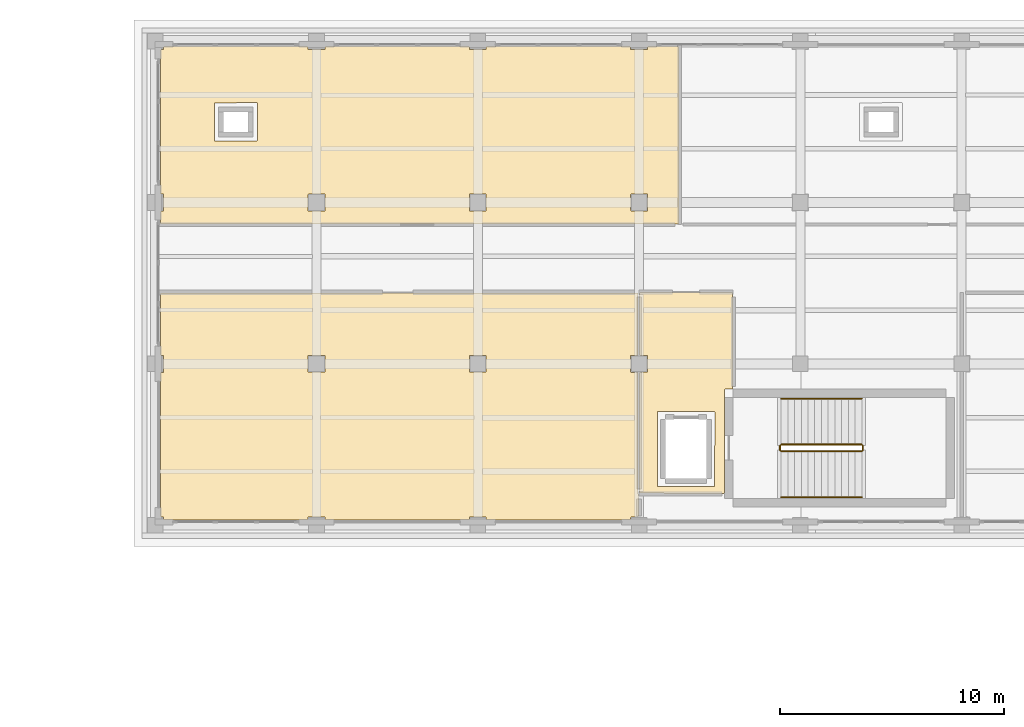
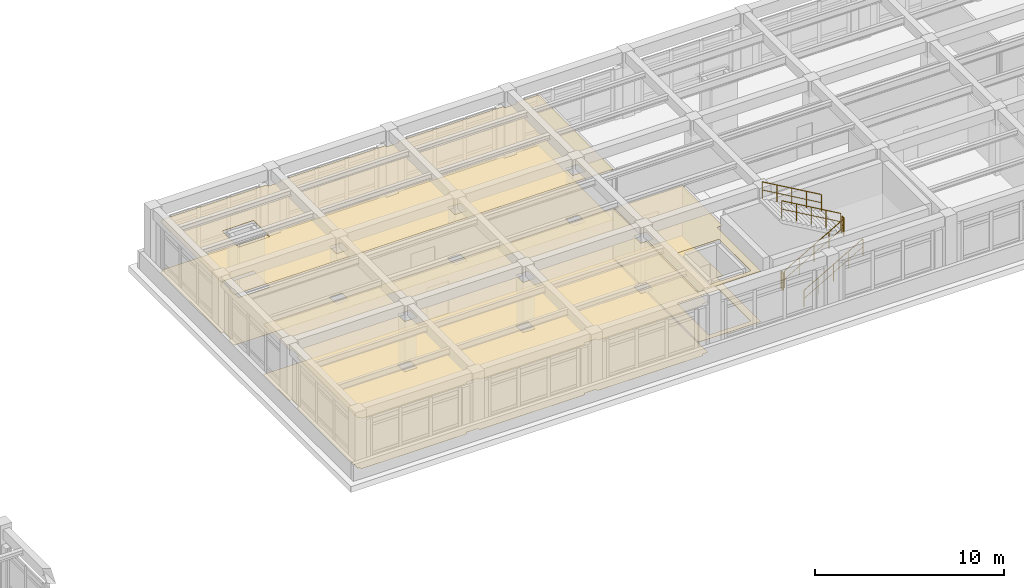
# One storey, part 61 of 64: 6 coverings, 6 railings.
"""IFC4 building model written with IfcOpenShell, lengths in metres."""

from ifc_helpers import new_model, si_unit, direction, frame, origin, origin_2d, place, context, subcontext, project, spatial, polyline, circle, outline, extrude, material, layer, layer_set, type_object, element, save


model = new_model("IFC4")

# Units and contexts
model_context = context("Model", 3, precision=1e-05, world=origin(), true_north=direction((0.0, 1.0)))
body_context = subcontext(model_context, "Body", "Model", "MODEL_VIEW")
ifc_project = project(units=[si_unit("LENGTHUNIT", "METRE"), si_unit("AREAUNIT", "SQUARE_METRE"), si_unit("VOLUMEUNIT", "CUBIC_METRE"), si_unit("PLANEANGLEUNIT", "RADIAN"), si_unit("MASSUNIT", "GRAM", prefix="KILO")], contexts=[model_context])

# Site, building, storey
site_placement = place(None, origin())
site = spatial("IfcSite", under=ifc_project, at=site_placement, CompositionType="ELEMENT")
building_placement = place(site_placement, origin())
building = spatial("IfcBuilding", under=site, at=building_placement, Name="Solenvale Faculty of Natural Sciences", CompositionType="ELEMENT")
storey_placement = place(building_placement, frame((0.0, 0.0, 18.0)))
storey = spatial("IfcBuildingStorey", under=building, at=storey_placement, Name="L04", CompositionType="ELEMENT", Elevation=18.0)

# Coverings
ifc_material_1 = material(Name="Acoustic mineral-timber ceiling", Category="wood")
ifc_layer_1 = layer(ifc_material_1, 0.02490234375)
ifc_layer_set_1 = layer_set([ifc_layer_1], Name="Acoustic mineral-timber ceiling")
covering_type_1 = type_object("IfcCoveringType", Name="COV-CEIL-AC25", PredefinedType="CEILING", material=ifc_layer_set_1)
covering_1_placement = place(storey_placement, frame((0.0, 0.0, 3.235107421875)))
element("IfcCovering", 1, at=covering_1_placement, inside=storey, type_object=covering_type_1, Name="L04 Firefighting Lobby C4 Acoustic Ceiling", PredefinedType="CEILING", context=body_context, shape_type="SweptSolid", body=[
    extrude(outline(polyline([(104.97998046875, 99.7099609375), (104.9560546875, 99.680908203125), (104.64794921875, 99.679931640625), (104.6201171875, 99.652099609375), (104.613037109375, 95.031005859375), (104.590087890625, 95.02001953125), (100.8310546875, 95.027099609375), (100.820068359375, 95.050048828125), (100.820068359375, 100.39794921875), (100.846923828125, 100.425048828125), (101.174072265625, 100.430908203125), (101.175048828125, 101.1640625), (101.1640625, 101.175048828125), (100.846923828125, 101.175048828125), (100.820068359375, 101.201904296875), (100.820068359375, 103.949951171875), (100.8291015625, 103.970947265625), (100.85009765625, 103.97998046875), (104.949951171875, 103.97998046875), (104.970947265625, 103.970947265625), (104.97998046875, 103.949951171875), (104.97998046875, 99.7099609375)]), holes=[polyline([(104.179931640625, 98.652099609375), (104.169921875, 98.672119140625), (104.14990234375, 98.679931640625), (101.64990234375, 98.679931640625), (101.6259765625, 98.66796875), (101.6201171875, 95.35009765625), (101.632080078125, 95.325927734375), (104.14990234375, 95.320068359375), (104.174072265625, 95.33203125), (104.179931640625, 98.652099609375)])]), origin(), (0.0, 0.0, 1.0), 0.02490234375),
])
covering_2_placement = place(storey_placement, frame((0.0, 0.0, 3.235107421875)))
element("IfcCovering", 2, at=covering_2_placement, inside=storey, type_object=covering_type_1, Name="L04 Earth Sciences Teaching Laboratory Acoustic Ceiling", PredefinedType="CEILING", context=body_context, shape_type="SweptSolid", body=[
    extrude(outline(polyline([(100.72998046875, 103.9599609375), (100.7509765625, 103.950927734375), (100.760009765625, 103.929931640625), (100.760009765625, 101.201904296875), (100.73291015625, 101.175048828125), (100.426025390625, 101.1689453125), (100.425048828125, 100.43603515625), (100.43603515625, 100.425048828125), (100.73291015625, 100.425048828125), (100.760009765625, 100.39794921875), (100.760009765625, 95.0), (100.780029296875, 94.950927734375), (100.780029296875, 94.0048828125), (100.760986328125, 93.97705078125), (100.430908203125, 93.97412109375), (100.424072265625, 93.861083984375), (100.39501953125, 93.840087890625), (94.0048828125, 93.840087890625), (93.97607421875, 93.861083984375), (93.97509765625, 93.966064453125), (93.964111328125, 93.97509765625), (93.23291015625, 93.97509765625), (93.22412109375, 93.861083984375), (93.195068359375, 93.840087890625), (86.804931640625, 93.840087890625), (86.77587890625, 93.861083984375), (86.77490234375, 93.966064453125), (86.763916015625, 93.97509765625), (86.032958984375, 93.97509765625), (86.02392578125, 93.861083984375), (85.9951171875, 93.840087890625), (79.60498046875, 93.840087890625), (79.575927734375, 93.864013671875), (79.572021484375, 93.971923828125), (79.464111328125, 93.97607421875), (79.44189453125, 93.993896484375), (79.43994140625, 100.39501953125), (79.4609375, 100.424072265625), (79.56591796875, 100.425048828125), (79.574951171875, 100.43603515625), (79.574951171875, 101.1669921875), (79.4609375, 101.176025390625), (79.43994140625, 101.205078125), (79.43994140625, 103.929931640625), (79.458984375, 103.9580078125), (100.72998046875, 103.9599609375)]), holes=[polyline([(93.236083984375, 101.175048828125), (93.22509765625, 101.1640625), (93.22802734375, 100.427978515625), (93.971923828125, 100.427978515625), (93.971923828125, 101.172119140625), (93.236083984375, 101.175048828125)]), polyline([(86.035888671875, 101.175048828125), (86.02490234375, 101.1640625), (86.028076171875, 100.427978515625), (86.77197265625, 100.427978515625), (86.77197265625, 101.172119140625), (86.035888671875, 101.175048828125)])]), origin(), (0.0, 0.0, 1.0), 0.02490234375),
])
covering_3_placement = place(storey_placement, frame((0.0, 0.0, 3.235107421875)))
element("IfcCovering", 3, at=covering_3_placement, inside=storey, type_object=covering_type_1, Name="L04 Environmental Genomics Laboratory Acoustic Ceiling", PredefinedType="CEILING", context=body_context, shape_type="SweptSolid", body=[
    extrude(outline(polyline([(85.9951171875, 114.9599609375), (86.02392578125, 114.93896484375), (86.02490234375, 114.833984375), (86.035888671875, 114.824951171875), (86.76708984375, 114.824951171875), (86.77587890625, 114.93896484375), (86.804931640625, 114.9599609375), (93.195068359375, 114.9599609375), (93.22412109375, 114.93896484375), (93.22509765625, 114.833984375), (93.236083984375, 114.824951171875), (93.967041015625, 114.824951171875), (93.97607421875, 114.93896484375), (94.0048828125, 114.9599609375), (100.39501953125, 114.9599609375), (100.424072265625, 114.93896484375), (100.425048828125, 114.833984375), (100.43603515625, 114.824951171875), (101.1669921875, 114.824951171875), (101.176025390625, 114.93896484375), (101.201904296875, 114.9599609375), (102.56396484375, 114.9560546875), (102.580078125, 114.929931640625), (102.575927734375, 107.055908203125), (102.550048828125, 107.0400390625), (79.450927734375, 107.047119140625), (79.43994140625, 107.070068359375), (79.44091796875, 107.60107421875), (79.464111328125, 107.6240234375), (79.56591796875, 107.625), (79.574951171875, 107.634033203125), (79.574951171875, 108.364013671875), (79.56591796875, 108.375), (79.4609375, 108.3759765625), (79.43994140625, 108.405029296875), (79.447021484375, 114.81396484375), (79.467041015625, 114.824951171875), (79.572021484375, 114.827880859375), (79.575927734375, 114.93603515625), (79.60498046875, 114.9599609375), (85.9951171875, 114.9599609375)]), holes=[polyline([(100.43603515625, 108.375), (100.425048828125, 108.364013671875), (100.427978515625, 107.6279296875), (101.172119140625, 107.6279296875), (101.172119140625, 108.3720703125), (100.43603515625, 108.375)]), polyline([(93.236083984375, 108.375), (93.22509765625, 108.364013671875), (93.22802734375, 107.6279296875), (93.971923828125, 107.6279296875), (93.971923828125, 108.3720703125), (93.236083984375, 108.375)]), polyline([(86.035888671875, 108.375), (86.02490234375, 108.364013671875), (86.028076171875, 107.6279296875), (86.77197265625, 107.6279296875), (86.77197265625, 108.3720703125), (86.035888671875, 108.375)]), polyline([(83.760009765625, 112.431884765625), (83.75, 112.451904296875), (83.72998046875, 112.4599609375), (81.85009765625, 112.451904296875), (81.840087890625, 112.429931640625), (81.847900390625, 110.75), (81.8701171875, 110.739990234375), (83.75, 110.748046875), (83.760009765625, 110.77001953125), (83.760009765625, 112.431884765625)])]), origin(), (0.0, 0.0, 1.0), 0.02490234375),
])
ifc_material_2 = material(Name="Polished slate terrazzo flooring", Category="masonry")
ifc_layer_2 = layer(ifc_material_2, 0.01806640625)
ifc_layer_set_2 = layer_set([ifc_layer_2], Name="Polished slate terrazzo flooring")
covering_type_2 = type_object("IfcCoveringType", Name="COV-FLR-TRZ18", PredefinedType="FLOORING", material=ifc_layer_set_2)
covering_4_placement = place(storey_placement, origin())
element("IfcCovering", 4, at=covering_4_placement, inside=storey, type_object=covering_type_2, Name="L04 Firefighting Lobby C4 Floor Finish", PredefinedType="FLOORING", context=body_context, shape_type="SweptSolid", body=[
    extrude(outline(polyline([(104.97998046875, 99.7099609375), (104.9560546875, 99.680908203125), (104.64794921875, 99.679931640625), (104.6201171875, 99.652099609375), (104.613037109375, 95.031005859375), (104.590087890625, 95.02001953125), (100.8310546875, 95.027099609375), (100.820068359375, 95.050048828125), (100.820068359375, 100.39794921875), (100.846923828125, 100.425048828125), (101.174072265625, 100.430908203125), (101.175048828125, 101.1640625), (101.1640625, 101.175048828125), (100.846923828125, 101.175048828125), (100.820068359375, 101.201904296875), (100.820068359375, 103.949951171875), (100.8291015625, 103.970947265625), (100.85009765625, 103.97998046875), (104.949951171875, 103.97998046875), (104.970947265625, 103.970947265625), (104.97998046875, 103.949951171875), (104.97998046875, 99.7099609375)]), holes=[polyline([(104.179931640625, 98.652099609375), (104.169921875, 98.672119140625), (104.14990234375, 98.679931640625), (101.64990234375, 98.679931640625), (101.6259765625, 98.66796875), (101.6201171875, 95.35009765625), (101.632080078125, 95.325927734375), (104.14990234375, 95.320068359375), (104.174072265625, 95.33203125), (104.179931640625, 98.652099609375)])]), origin(), (0.0, 0.0, 1.0), 0.01806640625),
])
ifc_material_3 = material(Name="Seamless laboratory vinyl flooring")
ifc_layer_3 = layer(ifc_material_3, 0.008056640625)
ifc_layer_set_3 = layer_set([ifc_layer_3], Name="Seamless laboratory vinyl flooring")
covering_type_3 = type_object("IfcCoveringType", Name="COV-FLR-VNL08", PredefinedType="FLOORING", material=ifc_layer_set_3)
covering_5_placement = place(storey_placement, origin())
element("IfcCovering", 5, at=covering_5_placement, inside=storey, type_object=covering_type_3, Name="L04 Earth Sciences Teaching Laboratory Floor Finish", PredefinedType="FLOORING", context=body_context, shape_type="SweptSolid", body=[
    extrude(outline(polyline([(100.72998046875, 103.9599609375), (100.7509765625, 103.950927734375), (100.760009765625, 103.929931640625), (100.760009765625, 101.201904296875), (100.73291015625, 101.175048828125), (100.426025390625, 101.1689453125), (100.425048828125, 100.43603515625), (100.43603515625, 100.425048828125), (100.73291015625, 100.425048828125), (100.760009765625, 100.39794921875), (100.760009765625, 95.0), (100.780029296875, 94.950927734375), (100.780029296875, 94.0048828125), (100.760986328125, 93.97705078125), (100.430908203125, 93.97412109375), (100.424072265625, 93.861083984375), (100.39501953125, 93.840087890625), (94.0048828125, 93.840087890625), (93.97607421875, 93.861083984375), (93.97509765625, 93.966064453125), (93.964111328125, 93.97509765625), (93.23291015625, 93.97509765625), (93.22412109375, 93.861083984375), (93.195068359375, 93.840087890625), (86.804931640625, 93.840087890625), (86.77587890625, 93.861083984375), (86.77490234375, 93.966064453125), (86.763916015625, 93.97509765625), (86.032958984375, 93.97509765625), (86.02392578125, 93.861083984375), (85.9951171875, 93.840087890625), (79.60498046875, 93.840087890625), (79.575927734375, 93.864013671875), (79.572021484375, 93.971923828125), (79.464111328125, 93.97607421875), (79.44189453125, 93.993896484375), (79.43994140625, 100.39501953125), (79.4609375, 100.424072265625), (79.56591796875, 100.425048828125), (79.574951171875, 100.43603515625), (79.574951171875, 101.1669921875), (79.4609375, 101.176025390625), (79.43994140625, 101.205078125), (79.43994140625, 103.929931640625), (79.458984375, 103.9580078125), (100.72998046875, 103.9599609375)]), holes=[polyline([(93.236083984375, 101.175048828125), (93.22509765625, 101.1640625), (93.22802734375, 100.427978515625), (93.971923828125, 100.427978515625), (93.971923828125, 101.172119140625), (93.236083984375, 101.175048828125)]), polyline([(86.035888671875, 101.175048828125), (86.02490234375, 101.1640625), (86.028076171875, 100.427978515625), (86.77197265625, 100.427978515625), (86.77197265625, 101.172119140625), (86.035888671875, 101.175048828125)])]), origin(), (0.0, 0.0, 1.0), 0.008056640625),
])
covering_6_placement = place(storey_placement, origin())
element("IfcCovering", 6, at=covering_6_placement, inside=storey, type_object=covering_type_3, Name="L04 Environmental Genomics Laboratory Floor Finish", PredefinedType="FLOORING", context=body_context, shape_type="SweptSolid", body=[
    extrude(outline(polyline([(85.9951171875, 114.9599609375), (86.02392578125, 114.93896484375), (86.02490234375, 114.833984375), (86.035888671875, 114.824951171875), (86.76708984375, 114.824951171875), (86.77587890625, 114.93896484375), (86.804931640625, 114.9599609375), (93.195068359375, 114.9599609375), (93.22412109375, 114.93896484375), (93.22509765625, 114.833984375), (93.236083984375, 114.824951171875), (93.967041015625, 114.824951171875), (93.97607421875, 114.93896484375), (94.0048828125, 114.9599609375), (100.39501953125, 114.9599609375), (100.424072265625, 114.93896484375), (100.425048828125, 114.833984375), (100.43603515625, 114.824951171875), (101.1669921875, 114.824951171875), (101.176025390625, 114.93896484375), (101.201904296875, 114.9599609375), (102.56396484375, 114.9560546875), (102.580078125, 114.929931640625), (102.575927734375, 107.055908203125), (102.550048828125, 107.0400390625), (79.450927734375, 107.047119140625), (79.43994140625, 107.070068359375), (79.44091796875, 107.60107421875), (79.464111328125, 107.6240234375), (79.56591796875, 107.625), (79.574951171875, 107.634033203125), (79.574951171875, 108.364013671875), (79.56591796875, 108.375), (79.4609375, 108.3759765625), (79.43994140625, 108.405029296875), (79.447021484375, 114.81396484375), (79.467041015625, 114.824951171875), (79.572021484375, 114.827880859375), (79.575927734375, 114.93603515625), (79.60498046875, 114.9599609375), (85.9951171875, 114.9599609375)]), holes=[polyline([(100.43603515625, 108.375), (100.425048828125, 108.364013671875), (100.427978515625, 107.6279296875), (101.172119140625, 107.6279296875), (101.172119140625, 108.3720703125), (100.43603515625, 108.375)]), polyline([(93.236083984375, 108.375), (93.22509765625, 108.364013671875), (93.22802734375, 107.6279296875), (93.971923828125, 107.6279296875), (93.971923828125, 108.3720703125), (93.236083984375, 108.375)]), polyline([(86.035888671875, 108.375), (86.02490234375, 108.364013671875), (86.028076171875, 107.6279296875), (86.77197265625, 107.6279296875), (86.77197265625, 108.3720703125), (86.035888671875, 108.375)]), polyline([(83.760009765625, 112.431884765625), (83.75, 112.451904296875), (83.72998046875, 112.4599609375), (81.85009765625, 112.451904296875), (81.840087890625, 112.429931640625), (81.847900390625, 110.75), (81.8701171875, 110.739990234375), (83.75, 110.748046875), (83.760009765625, 110.77001953125), (83.760009765625, 112.431884765625)])]), origin(), (0.0, 0.0, 1.0), 0.008056640625),
])

# Railings
ifc_material_4 = material(Name="Stainless steel Grade 304", Category="steel")
railing_type_1 = type_object("IfcRailingType", Name="RL-GRD-1100", PredefinedType="GUARDRAIL", material=ifc_material_4)
railing_1_placement = place(storey_placement, frame((107.139892578125, 96.89990234375, 0.173095703125)))
element("IfcRailing", 7, at=railing_1_placement, inside=storey, type_object=railing_type_1, Name="L04 ST-04 stair guard 1", PredefinedType="GUARDRAIL", context=body_context, shape_type="SweptSolid", body=[
    extrude(circle(Radius=0.02392578125, at=origin_2d()), frame((0.0, 0.0, 1.09619140625), z_axis=(0.866193409371, 0.0, 0.499708892819), x_axis=(0.0, 1.0, 0.0)), (0.0, 0.0, 1.0), 4.15625),
    extrude(circle(Radius=0.01611328125, at=origin_2d()), frame((0.0, 0.0, 0.56005859375), z_axis=(0.866193409371, 0.0, 0.499708892819), x_axis=(0.0, 1.0, 0.0)), (0.0, 0.0, 1.0), 4.15625),
    extrude(circle(Radius=0.02099609375, at=origin_2d()), origin(), (0.0, 0.0, 1.0), 1.072021484375),
    extrude(circle(Radius=0.02099609375, at=origin_2d()), frame((0.89990234375, 0.0, 0.519287109375)), (0.0, 0.0, 1.0), 1.072021484375),
    extrude(circle(Radius=0.02099609375, at=origin_2d()), frame((1.800048828125, 0.0, 1.03857421875)), (0.0, 0.0, 1.0), 1.072021484375),
    extrude(circle(Radius=0.02099609375, at=origin_2d()), frame((2.7001953125, 0.0, 1.5576171875)), (0.0, 0.0, 1.0), 1.072021484375),
    extrude(circle(Radius=0.02099609375, at=origin_2d()), frame((3.60009765625, 0.0, 2.076904296875)), (0.0, 0.0, 1.0), 1.072021484375),
])
railing_2_placement = place(storey_placement, frame((110.7900390625, 96.949951171875, 2.25)))
element("IfcRailing", 8, at=railing_2_placement, inside=storey, type_object=railing_type_1, Name="L04 ST-04 stair guard 2", PredefinedType="GUARDRAIL", context=body_context, shape_type="SweptSolid", body=[
    extrude(circle(Radius=0.02392578125, at=origin_2d()), frame((0.0, 0.0, 1.09619140625), z_axis=(0.0, 1.0, 0.0), x_axis=(-1.0, 0.0, 0.0)), (0.0, 0.0, 1.0), 0.199951171875),
    extrude(circle(Radius=0.01611328125, at=origin_2d()), frame((0.0, 0.0, 0.56005859375), z_axis=(0.0, 1.0, 0.0), x_axis=(-1.0, 0.0, 0.0)), (0.0, 0.0, 1.0), 0.199951171875),
    extrude(circle(Radius=0.02099609375, at=origin_2d()), origin(), (0.0, 0.0, 1.0), 1.072021484375),
    extrude(circle(Radius=0.02099609375, at=origin_2d()), frame((0.0, 0.199951171875, 0.0)), (0.0, 0.0, 1.0), 1.072021484375),
])
railing_3_placement = place(storey_placement, frame((110.739990234375, 97.199951171875, 2.423095703125)))
element("IfcRailing", 9, at=railing_3_placement, inside=storey, type_object=railing_type_1, Name="L04 ST-04 stair guard 3", PredefinedType="GUARDRAIL", context=body_context, shape_type="SweptSolid", body=[
    extrude(circle(Radius=0.02392578125, at=origin_2d()), frame((0.0, 0.0, 1.09619140625), z_axis=(-0.866193409371, 0.0, 0.499708892819), x_axis=(0.0, -1.0, 0.0)), (0.0, 0.0, 1.0), 4.15625),
    extrude(circle(Radius=0.01611328125, at=origin_2d()), frame((0.0, 0.0, 0.56005859375), z_axis=(-0.866193409371, 0.0, 0.499708892819), x_axis=(0.0, -1.0, 0.0)), (0.0, 0.0, 1.0), 4.15625),
    extrude(circle(Radius=0.02099609375, at=origin_2d()), origin(), (0.0, 0.0, 1.0), 1.072021484375),
    extrude(circle(Radius=0.02099609375, at=origin_2d()), frame((-0.89990234375, 0.0, 0.519287109375)), (0.0, 0.0, 1.0), 1.072021484375),
    extrude(circle(Radius=0.02099609375, at=origin_2d()), frame((-1.800048828125, 0.0, 1.03857421875)), (0.0, 0.0, 1.0), 1.072021484375),
    extrude(circle(Radius=0.02099609375, at=origin_2d()), frame((-2.7001953125, 0.0, 1.5576171875)), (0.0, 0.0, 1.0), 1.072021484375),
    extrude(circle(Radius=0.02099609375, at=origin_2d()), frame((-3.60009765625, 0.0, 2.076904296875)), (0.0, 0.0, 1.0), 1.072021484375),
])
railing_4_placement = place(storey_placement, frame((107.090087890625, 96.949951171875, 0.0)))
element("IfcRailing", 10, at=railing_4_placement, inside=storey, type_object=railing_type_1, Name="L04 ST-04 stair guard 4", PredefinedType="GUARDRAIL", context=body_context, shape_type="SweptSolid", body=[
    extrude(circle(Radius=0.02392578125, at=origin_2d()), frame((0.0, 0.0, 1.09619140625), z_axis=(0.0, 1.0, 0.0), x_axis=(-1.0, 0.0, 0.0)), (0.0, 0.0, 1.0), 0.199951171875),
    extrude(circle(Radius=0.01611328125, at=origin_2d()), frame((0.0, 0.0, 0.56005859375), z_axis=(0.0, 1.0, 0.0), x_axis=(-1.0, 0.0, 0.0)), (0.0, 0.0, 1.0), 0.199951171875),
    extrude(circle(Radius=0.02099609375, at=origin_2d()), origin(), (0.0, 0.0, 1.0), 1.072021484375),
    extrude(circle(Radius=0.02099609375, at=origin_2d()), frame((0.0, 0.199951171875, 0.0)), (0.0, 0.0, 1.0), 1.072021484375),
])
railing_type_2 = type_object("IfcRailingType", Name="RL-HND-900", PredefinedType="HANDRAIL", material=ifc_material_4)
railing_5_placement = place(storey_placement, frame((107.139892578125, 94.85009765625, 0.173095703125)))
element("IfcRailing", 11, at=railing_5_placement, inside=storey, type_object=railing_type_2, Name="L04 ST-04 stair handrail 1", PredefinedType="HANDRAIL", context=body_context, shape_type="SweptSolid", body=[
    extrude(circle(Radius=0.02392578125, at=origin_2d()), frame((0.0, 0.0, 1.0732421875), z_axis=(0.866193409371, 0.0, 0.499708892819), x_axis=(0.0, 1.0, 0.0)), (0.0, 0.0, 1.0), 4.15625),
    extrude(circle(Radius=0.01611328125, at=origin_2d()), frame((0.0, 0.0, 0.548583984375), z_axis=(0.866193409371, 0.0, 0.499708892819), x_axis=(0.0, 1.0, 0.0)), (0.0, 0.0, 1.0), 4.15625),
    extrude(circle(Radius=0.02099609375, at=origin_2d()), origin(), (0.0, 0.0, 1.0), 1.049072265625),
    extrude(circle(Radius=0.02099609375, at=origin_2d()), frame((0.89990234375, 0.0, 0.519287109375)), (0.0, 0.0, 1.0), 1.049072265625),
    extrude(circle(Radius=0.02099609375, at=origin_2d()), frame((1.800048828125, 0.0, 1.03857421875)), (0.0, 0.0, 1.0), 1.049072265625),
    extrude(circle(Radius=0.02099609375, at=origin_2d()), frame((2.7001953125, 0.0, 1.5576171875)), (0.0, 0.0, 1.0), 1.049072265625),
    extrude(circle(Radius=0.02099609375, at=origin_2d()), frame((3.60009765625, 0.0, 2.076904296875)), (0.0, 0.0, 1.0), 1.049072265625),
])
railing_6_placement = place(storey_placement, frame((110.739990234375, 99.25, 2.423095703125)))
element("IfcRailing", 12, at=railing_6_placement, inside=storey, type_object=railing_type_2, Name="L04 ST-04 stair handrail 2", PredefinedType="HANDRAIL", context=body_context, shape_type="SweptSolid", body=[
    extrude(circle(Radius=0.02392578125, at=origin_2d()), frame((0.0, 0.0, 1.0732421875), z_axis=(-0.866193409371, 0.0, 0.499708892819), x_axis=(0.0, -1.0, 0.0)), (0.0, 0.0, 1.0), 4.15625),
    extrude(circle(Radius=0.01611328125, at=origin_2d()), frame((0.0, 0.0, 0.548583984375), z_axis=(-0.866193409371, 0.0, 0.499708892819), x_axis=(0.0, -1.0, 0.0)), (0.0, 0.0, 1.0), 4.15625),
    extrude(circle(Radius=0.02099609375, at=origin_2d()), origin(), (0.0, 0.0, 1.0), 1.049072265625),
    extrude(circle(Radius=0.02099609375, at=origin_2d()), frame((-0.89990234375, 0.0, 0.519287109375)), (0.0, 0.0, 1.0), 1.049072265625),
    extrude(circle(Radius=0.02099609375, at=origin_2d()), frame((-1.800048828125, 0.0, 1.03857421875)), (0.0, 0.0, 1.0), 1.049072265625),
    extrude(circle(Radius=0.02099609375, at=origin_2d()), frame((-2.7001953125, 0.0, 1.5576171875)), (0.0, 0.0, 1.0), 1.049072265625),
    extrude(circle(Radius=0.02099609375, at=origin_2d()), frame((-3.60009765625, 0.0, 2.076904296875)), (0.0, 0.0, 1.0), 1.049072265625),
])

save(model, "model.ifc")
